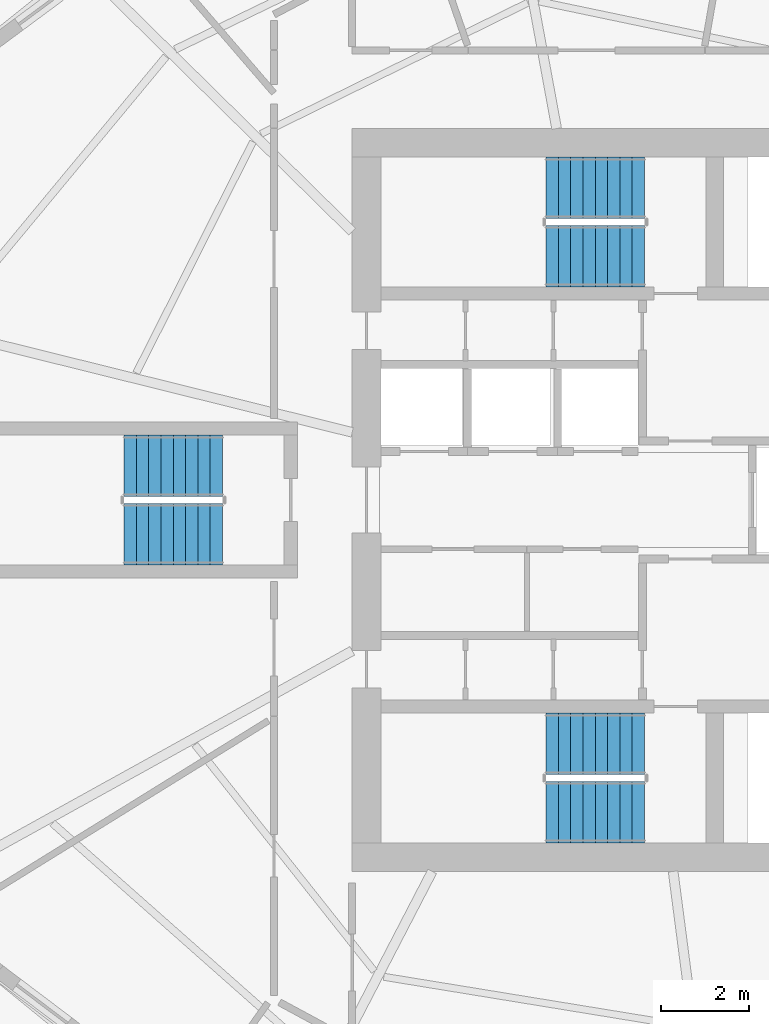
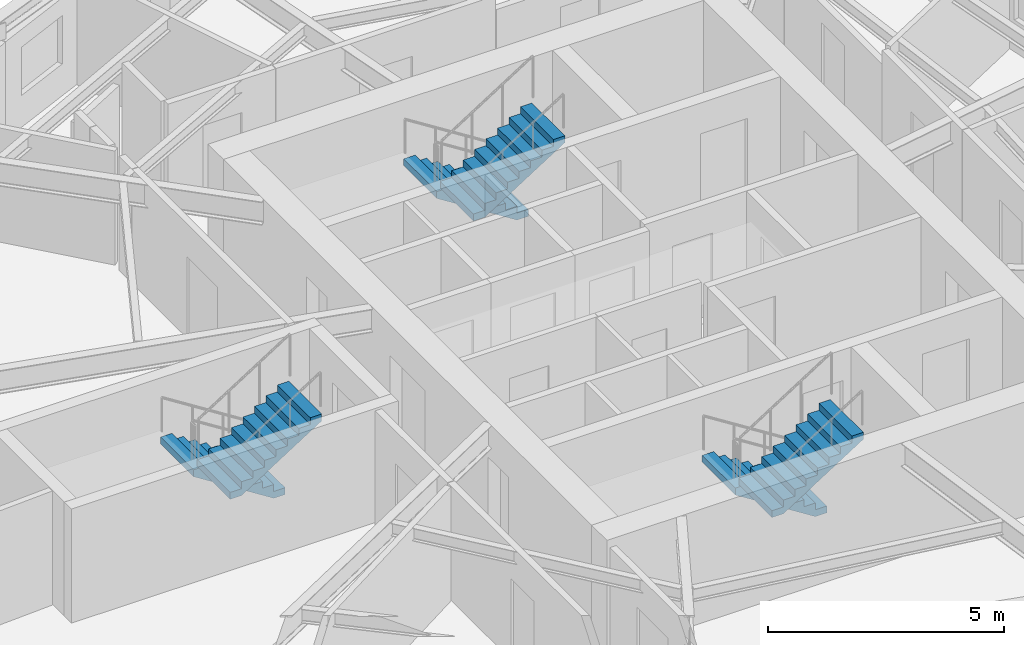
# One storey, part 8 of 12: 6 stair flights, 3 elements without a shape of their own.
"""IFC4 building model written with IfcOpenShell, lengths in metres."""

from ifc_helpers import new_model, si_unit, direction, frame, origin, place, context, subcontext, project, spatial, polyline, outline, extrude, source, transform, mapped, material, type_object, element, aggregate, save


model = new_model("IFC4")

# Units and contexts
model_context = context("Model", 3, precision=1e-05, world=origin(), true_north=direction((0.0, 1.0)))
body_context = subcontext(model_context, "Body", "Model", "MODEL_VIEW")
ifc_project = project(units=[si_unit("LENGTHUNIT", "METRE"), si_unit("AREAUNIT", "SQUARE_METRE"), si_unit("VOLUMEUNIT", "CUBIC_METRE"), si_unit("PLANEANGLEUNIT", "RADIAN"), si_unit("MASSUNIT", "GRAM", prefix="KILO")], contexts=[model_context])

# Site, building, storey
site_placement = place(None, origin())
site = spatial("IfcSite", under=ifc_project, at=site_placement, CompositionType="ELEMENT")
building_placement = place(site_placement, origin())
building = spatial("IfcBuilding", under=site, at=building_placement, Name="Qafzar Sky-Pleat Residences", CompositionType="ELEMENT")
storey_placement = place(building_placement, frame((0.0, 0.0, 181.0)))
storey = spatial("IfcBuildingStorey", under=building, at=storey_placement, Name="L54", CompositionType="ELEMENT", Elevation=181.0)

# Stair, stair flights
ifc_material = material(Name="Concrete C40/50", Category="concrete")
stair_type = type_object("IfcStairType", Name="STAIR-H320", PredefinedType="HALF_TURN_STAIR", material=ifc_material)
stair_1_placement = place(storey_placement, origin())
stair_1 = element("IfcStair", 1, at=stair_1_placement, inside=storey, type_object=stair_type, Name="L54 Protected Exit Stair ST1", PredefinedType="HALF_TURN_STAIR")
stair_flight_type = type_object("IfcStairFlightType", Name="FLIGHT-H320", PredefinedType="STRAIGHT", material=ifc_material)
shared_shape = source(origin(), body_context, "Body", "SweptSolid", [
    extrude(outline(polyline([(0.0, 0.0), (0.0, 0.177734375), (0.280029296875, 0.177734375), (0.280029296875, 0.35546875), (0.56005859375, 0.35546875), (0.56005859375, 0.533447265625), (0.840087890625, 0.533447265625), (0.840087890625, 0.711181640625), (1.1201171875, 0.711181640625), (1.1201171875, 0.888916015625), (1.39990234375, 0.888916015625), (1.39990234375, 1.066650390625), (1.679931640625, 1.066650390625), (1.679931640625, 1.244384765625), (1.9599609375, 1.244384765625), (1.9599609375, 1.422119140625), (2.239990234375, 1.422119140625), (2.239990234375, 1.60009765625), (2.239990234375, 1.24462890625), (0.27978515625, 0.0), (0.0, 0.0)])), frame((0.0, 0.699951171875, 0.0), z_axis=(0.0, -1.0, 0.0), x_axis=(1.0, 0.0, 0.0)), (0.0, 0.0, 1.0), 1.39990234375),
])
stair_flight_1_placement = place(storey_placement, frame((30.800048828125, 20.449951171875, 0.0), z_axis=(0.0, 0.0, 1.0), x_axis=(-1.0, 0.0, 0.0)))
stair_flight_1 = element("IfcStairFlight", 2, at=stair_flight_1_placement, type_object=stair_flight_type, Name="ST1 flight 1", NumberOfRisers=9, NumberOfTreads=8, PredefinedType="STRAIGHT", RiserHeight=0.177777778, TreadLength=0.28, context=body_context, shape_type="MappedRepresentation", body=[
    mapped(shared_shape, transform((0.0, 0.0, 0.0), x_axis=(1.0, 0.0, 0.0), y_axis=(0.0, 1.0, 0.0), z_axis=(0.0, 0.0, 1.0), scale=1.0)),
])
stair_flight_2_placement = place(storey_placement, frame((28.56005859375, 18.89990234375, 1.60009765625), z_axis=(0.0, 0.0, 1.0), x_axis=(1.0, 0.0, 0.0)))
stair_flight_2 = element("IfcStairFlight", 3, at=stair_flight_2_placement, type_object=stair_flight_type, Name="ST1 flight 2", NumberOfRisers=9, NumberOfTreads=8, PredefinedType="STRAIGHT", RiserHeight=0.177777778, TreadLength=0.28, context=body_context, shape_type="MappedRepresentation", body=[
    mapped(shared_shape, transform((0.0, 0.0, 0.0), x_axis=(1.0, 0.0, 0.0), y_axis=(0.0, 1.0, 0.0), z_axis=(0.0, 0.0, 1.0), scale=1.0)),
])
aggregate(stair_1, [stair_flight_1, stair_flight_2])

stair_2_placement = place(storey_placement, origin())
stair_2 = element("IfcStair", 4, at=stair_2_placement, inside=storey, type_object=stair_type, Name="L54 Protected Exit Stair ST2", PredefinedType="HALF_TURN_STAIR")
stair_flight_3_placement = place(storey_placement, frame((30.800048828125, 33.10009765625, 0.0), z_axis=(0.0, 0.0, 1.0), x_axis=(-1.0, 0.0, 0.0)))
stair_flight_3 = element("IfcStairFlight", 5, at=stair_flight_3_placement, type_object=stair_flight_type, Name="ST2 flight 1", NumberOfRisers=9, NumberOfTreads=8, PredefinedType="STRAIGHT", RiserHeight=0.177777778, TreadLength=0.28, context=body_context, shape_type="MappedRepresentation", body=[
    mapped(shared_shape, transform((0.0, 0.0, 0.0), x_axis=(1.0, 0.0, 0.0), y_axis=(0.0, 1.0, 0.0), z_axis=(0.0, 0.0, 1.0), scale=1.0)),
])
stair_flight_4_placement = place(storey_placement, frame((28.56005859375, 31.550048828125, 1.60009765625), z_axis=(0.0, 0.0, 1.0), x_axis=(1.0, 0.0, 0.0)))
stair_flight_4 = element("IfcStairFlight", 6, at=stair_flight_4_placement, type_object=stair_flight_type, Name="ST2 flight 2", NumberOfRisers=9, NumberOfTreads=8, PredefinedType="STRAIGHT", RiserHeight=0.177777778, TreadLength=0.28, context=body_context, shape_type="MappedRepresentation", body=[
    mapped(shared_shape, transform((0.0, 0.0, 0.0), x_axis=(1.0, 0.0, 0.0), y_axis=(0.0, 1.0, 0.0), z_axis=(0.0, 0.0, 1.0), scale=1.0)),
])
aggregate(stair_2, [stair_flight_3, stair_flight_4])

stair_3_placement = place(storey_placement, origin())
stair_3 = element("IfcStair", 7, at=stair_3_placement, inside=storey, type_object=stair_type, Name="L54 Protected Exit Stair ST3", PredefinedType="HALF_TURN_STAIR")
stair_flight_5_placement = place(storey_placement, frame((21.199951171875, 26.77490234375, 0.0), z_axis=(0.0, 0.0, 1.0), x_axis=(-1.0, 0.0, 0.0)))
stair_flight_5 = element("IfcStairFlight", 8, at=stair_flight_5_placement, type_object=stair_flight_type, Name="ST3 flight 1", NumberOfRisers=9, NumberOfTreads=8, PredefinedType="STRAIGHT", RiserHeight=0.177777778, TreadLength=0.28, context=body_context, shape_type="MappedRepresentation", body=[
    mapped(shared_shape, transform((0.0, 0.0, 0.0), x_axis=(1.0, 0.0, 0.0), y_axis=(0.0, 1.0, 0.0), z_axis=(0.0, 0.0, 1.0), scale=1.0)),
])
stair_flight_6_placement = place(storey_placement, frame((18.9599609375, 25.22509765625, 1.60009765625), z_axis=(0.0, 0.0, 1.0), x_axis=(1.0, 0.0, 0.0)))
stair_flight_6 = element("IfcStairFlight", 9, at=stair_flight_6_placement, type_object=stair_flight_type, Name="ST3 flight 2", NumberOfRisers=9, NumberOfTreads=8, PredefinedType="STRAIGHT", RiserHeight=0.177777778, TreadLength=0.28, context=body_context, shape_type="MappedRepresentation", body=[
    mapped(shared_shape, transform((0.0, 0.0, 0.0), x_axis=(1.0, 0.0, 0.0), y_axis=(0.0, 1.0, 0.0), z_axis=(0.0, 0.0, 1.0), scale=1.0)),
])
aggregate(stair_3, [stair_flight_5, stair_flight_6])

save(model, "model.ifc")
